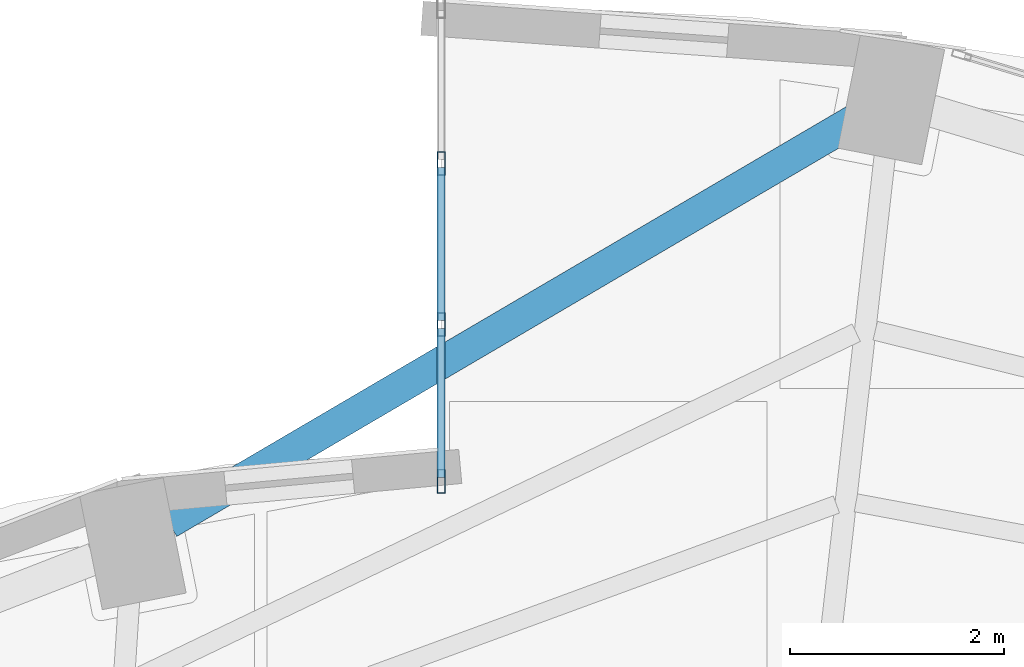
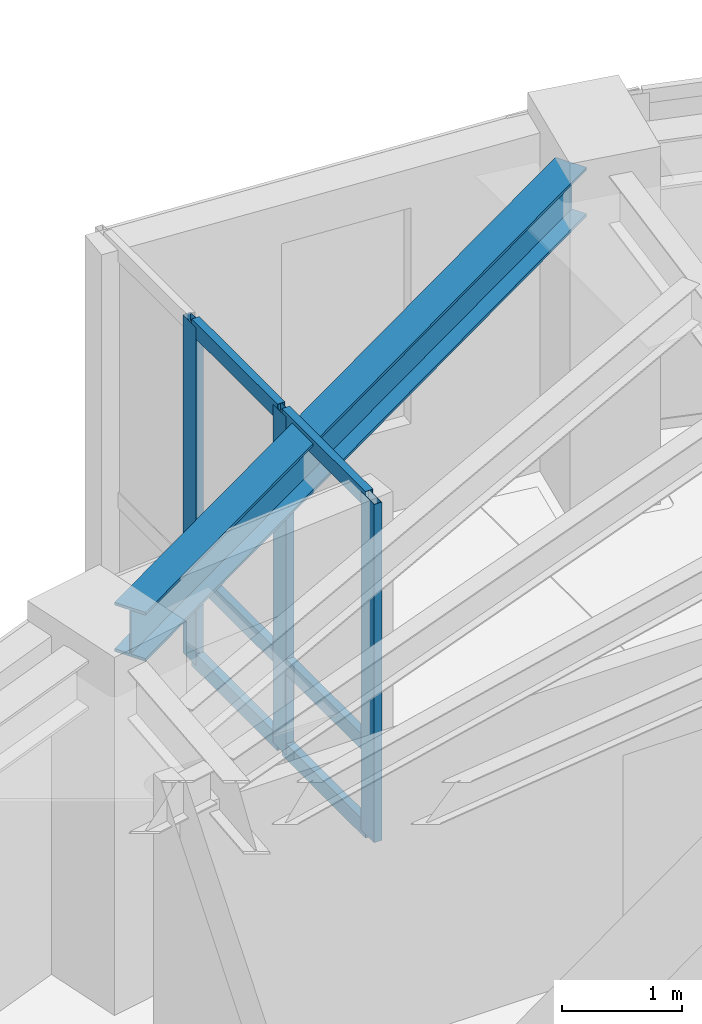
# One storey, part 4 of 15: 9 members, 1 beam, 1 element without a shape of its own.
"""IFC4 building model written with IfcOpenShell, lengths in metres."""

import ifcopenshell
import ifcopenshell.guid

model = None  # the IFC model being written
_history = None  # IfcOwnerHistory: only IFC2X3 demands one
_inside = {}  # id of a spatial element -> (the spatial element, [elements in it])
_under = {}  # id of a project, library or spatial element -> (it, [spatial elements below it])
_declared = {}  # id of a project -> (the project, [libraries it declares])
_typed = {}  # id of a type object -> (the type object, [elements of that type])
_made_of = {}  # id of a material, layer set ... -> (it, [elements and type objects made of it])


def new_model(schema):
    """Start an empty IFC model of exactly this schema.

    Asked for "IFC4X3", IfcOpenShell would pick the latest addendum, in which some entities
    have other attributes; the version numbers below select the first issue.
    IFC2X3 requires an IfcOwnerHistory on every rooted entity: one is made here for all.
    """
    global model, _history
    if schema == "IFC4X3":
        model = ifcopenshell.file(schema_version=(4, 3, 0, 0))
    else:
        model = ifcopenshell.file(schema=schema)
    _inside.clear()
    _under.clear()
    _declared.clear()
    _typed.clear()
    _made_of.clear()
    _history = None
    if model.schema == "IFC2X3":
        org = make("IfcOrganization", Name="unknown")
        user = make(
            "IfcPersonAndOrganization",
            ThePerson=make("IfcPerson", FamilyName="unknown"),
            TheOrganization=org,
        )
        app = make(
            "IfcApplication",
            ApplicationDeveloper=org,
            Version="unknown",
            ApplicationFullName="unknown",
            ApplicationIdentifier="unknown",
        )
        _history = make(
            "IfcOwnerHistory",
            OwningUser=user,
            OwningApplication=app,
            ChangeAction="ADDED",
            CreationDate=0,
        )
    return model


def make(cls, **values):
    """One entity of the class cls with the attributes given. An attribute that is None is left unset."""
    return model.create_entity(
        cls, **{name: value for name, value in values.items() if value is not None}
    )


def rooted(cls, **values):
    """An entity with a GlobalId (a new one), such as an element, a storey or a relation."""
    return make(cls, GlobalId=ifcopenshell.guid.new(), OwnerHistory=_history, **values)


def si_unit(unit_type, name, prefix=None):
    """IfcSIUnit, for example si_unit("LENGTHUNIT", "METRE", prefix="MILLI")."""
    return make("IfcSIUnit", UnitType=unit_type, Prefix=prefix, Name=name)


def assignment(units):
    """IfcUnitAssignment: the units of a project."""
    return None if units is None else make("IfcUnitAssignment", Units=units)


def point(xyz):
    """IfcCartesianPoint."""
    return None if xyz is None else make("IfcCartesianPoint", Coordinates=xyz)


def direction(xyz):
    """IfcDirection."""
    return None if xyz is None else make("IfcDirection", DirectionRatios=xyz)


def frame(location, z_axis=None, x_axis=None):
    """IfcAxis2Placement3D, a coordinate frame: its origin and axes. An axis left out is left unset."""
    return make(
        "IfcAxis2Placement3D",
        Location=point(location),
        Axis=direction(z_axis),
        RefDirection=direction(x_axis),
    )


def frame_2d(location, x_axis=None):
    """IfcAxis2Placement2D, a coordinate frame in the plane: its origin and x axis."""
    return make(
        "IfcAxis2Placement2D", Location=point(location), RefDirection=direction(x_axis)
    )


def origin():
    """The frame at (0, 0, 0) with its axes left unset."""
    return frame((0.0, 0.0, 0.0))


def origin_2d():
    """The frame at (0, 0) in the plane with its x axis left unset."""
    return frame_2d((0.0, 0.0))


def place(relative_to, where):
    """IfcLocalPlacement: puts the frame where relative to a parent placement (None: the world)."""
    return make(
        "IfcLocalPlacement", PlacementRelTo=relative_to, RelativePlacement=where
    )


def context(
    kind, dimensions, precision=None, world=None, true_north=None, identifier=None
):
    """IfcGeometricRepresentationContext, for example the 3D "Model" context."""
    return make(
        "IfcGeometricRepresentationContext",
        ContextIdentifier=identifier,
        ContextType=kind,
        CoordinateSpaceDimension=dimensions,
        Precision=precision,
        WorldCoordinateSystem=world,
        TrueNorth=true_north,
    )


def subcontext(parent, identifier, kind, view, scale=None):
    """IfcGeometricRepresentationSubContext, for example "Body" below "Model"."""
    return make(
        "IfcGeometricRepresentationSubContext",
        ContextIdentifier=identifier,
        ContextType=kind,
        ParentContext=parent,
        TargetScale=scale,
        TargetView=view,
    )


def project(units=None, contexts=None):
    """IfcProject with its units and contexts."""
    return rooted(
        "IfcProject",
        Name="project",
        RepresentationContexts=contexts,
        UnitsInContext=assignment(units),
    )


def spatial(cls, under=None, at=None, **own):
    """A site, building, storey or space (cls), placed at a placement, below another one or the project."""
    s = rooted(cls, ObjectPlacement=at, **own)
    if under is not None:
        _under.setdefault(under.id(), (under, []))[1].append(s)
    return s


def profile(cls, at=None, kind="AREA", **sizes):
    """A parametric profile (cls). Its sizes go by their IFC names, for example OverallWidth=200.0."""
    return make(cls, ProfileType=kind, Position=at, **sizes)


def hollow_rectangle(**sizes):
    """IfcRectangleHollowProfileDef."""
    return profile("IfcRectangleHollowProfileDef", **sizes)


def i_section(**sizes):
    """IfcIShapeProfileDef."""
    return profile("IfcIShapeProfileDef", **sizes)


def extrude(swept, where, along, depth):
    """IfcExtrudedAreaSolid: the profile swept, set in the frame where, extruded along a direction by depth."""
    return make(
        "IfcExtrudedAreaSolid",
        SweptArea=swept,
        Position=where,
        ExtrudedDirection=direction(along),
        Depth=depth,
    )


def shape(context_of_items, identifier, shape_type, items):
    """IfcShapeRepresentation: the items that make up one representation, for example the "Body"."""
    return make(
        "IfcShapeRepresentation",
        ContextOfItems=context_of_items,
        RepresentationIdentifier=identifier,
        RepresentationType=shape_type,
        Items=items,
    )


def material(Name=None, Category=None):
    """IfcMaterial."""
    return make("IfcMaterial", Name=Name, Category=Category)


def layer(
    of_material, thickness, ventilated=None, Name=None, Category=None, Priority=None
):
    """IfcMaterialLayer: one layer of a wall or slab, of a material (None: an air gap)."""
    return make(
        "IfcMaterialLayer",
        Material=of_material,
        LayerThickness=thickness,
        IsVentilated=ventilated,
        Name=Name,
        Category=Category,
        Priority=Priority,
    )


def layer_set(layers, Name=None):
    """IfcMaterialLayerSet."""
    return make("IfcMaterialLayerSet", MaterialLayers=layers, LayerSetName=Name)


def material_profile(
    of_material, cross_section, Name=None, Category=None, Priority=None
):
    """IfcMaterialProfile: a cross section and its material."""
    return make(
        "IfcMaterialProfile",
        Name=Name,
        Material=of_material,
        Profile=cross_section,
        Priority=Priority,
        Category=Category,
    )


def profile_set(profiles, Name=None, composite=None):
    """IfcMaterialProfileSet."""
    return make(
        "IfcMaterialProfileSet",
        Name=Name,
        MaterialProfiles=profiles,
        CompositeProfile=composite,
    )


def made_of(thing, what):
    """Note that an element or type object is made of a material, layer set ...; save() writes the relation."""
    if what is not None:
        _made_of.setdefault(what.id(), (what, []))[1].append(thing)
    return thing


def type_object(cls, material=None, **own):
    """A type object (cls), such as IfcWallType, which elements share."""
    return made_of(rooted(cls, **own), material)


def element(
    cls,
    number,
    at=None,
    inside=None,
    cuts=None,
    type_object=None,
    material=None,
    context=None,
    identifier="Body",
    shape_type=None,
    held_by="IfcProductDefinitionShape",
    body=None,
    shapes=None,
    **own,
):
    """One element of the class cls, such as IfcWall. Its Tag is "e" and its number.

    at: its placement. inside: the storey or other place that contains it. cuts: it is an
    opening in that element (IfcRelVoidsElement). A single representation is given by context,
    identifier, shape_type and body (its items); several are given by shapes. held_by: the class
    of the entity that holds the representations. save() writes the other relations.
    """
    e = rooted(cls, Tag="e%d" % number, ObjectPlacement=at, **own)
    if body is not None:
        shapes = [shape(context, identifier, shape_type, body)]
    if shapes is not None:
        e.Representation = make(held_by, Representations=shapes)
    if inside is not None:
        _inside.setdefault(inside.id(), (inside, []))[1].append(e)
    if cuts is not None:
        rooted(
            "IfcRelVoidsElement", RelatingBuildingElement=cuts, RelatedOpeningElement=e
        )
    if type_object is not None:
        _typed.setdefault(type_object.id(), (type_object, []))[1].append(e)
    return made_of(e, material)


def aggregate(whole, parts):
    """IfcRelAggregates: a whole, such as a stair, and the parts it consists of."""
    return rooted("IfcRelAggregates", RelatingObject=whole, RelatedObjects=parts)


def save(model, path):
    """Write the relations noted so far, then the file.

    IfcRelAggregates (storeys below a building ...), IfcRelContainedInSpatialStructure (elements
    in a storey), IfcRelDefinesByType, IfcRelAssociatesMaterial and IfcRelDeclares: one each for
    every whole, place, type object, material and project.
    """
    for whole, parts in _under.values():
        aggregate(whole, parts)
    for where, things in _inside.values():
        rooted(
            "IfcRelContainedInSpatialStructure",
            RelatedElements=things,
            RelatingStructure=where,
        )
    for kind, things in _typed.values():
        rooted("IfcRelDefinesByType", RelatedObjects=things, RelatingType=kind)
    for what, things in _made_of.values():
        rooted("IfcRelAssociatesMaterial", RelatedObjects=things, RelatingMaterial=what)
    for by, libraries in _declared.values():
        rooted("IfcRelDeclares", RelatingContext=by, RelatedDefinitions=libraries)
    model.write(path)


model = new_model("IFC4")

# Units and contexts
model_context = context("Model", 3, precision=1e-05, world=origin(), true_north=direction((0.0, 1.0)))
body_context = subcontext(model_context, "Body", "Model", "MODEL_VIEW")
ifc_project = project(units=[si_unit("LENGTHUNIT", "METRE"), si_unit("AREAUNIT", "SQUARE_METRE"), si_unit("VOLUMEUNIT", "CUBIC_METRE"), si_unit("PLANEANGLEUNIT", "RADIAN"), si_unit("MASSUNIT", "GRAM", prefix="KILO")], contexts=[model_context])

# Site, building, storey
site_placement = place(None, origin())
site = spatial("IfcSite", under=ifc_project, at=site_placement, CompositionType="ELEMENT")
building_placement = place(site_placement, origin())
building = spatial("IfcBuilding", under=site, at=building_placement, Name="Lazwardi Medical Tower", CompositionType="ELEMENT")
storey_placement = place(building_placement, frame((0.0, 0.0, 280.56005859375)))
storey = spatial("IfcBuildingStorey", under=building, at=storey_placement, Name="L73", CompositionType="ELEMENT", Elevation=280.56005859375)

# Beam
ifc_material_1 = material(Name="Steel S355", Category="steel")
ifc_material_profile_1 = material_profile(ifc_material_1, i_section(OverallWidth=0.300048828125, OverallDepth=0.5, WebThickness=0.014404296875, FlangeThickness=0.028076171875, at=origin_2d()), Name="HEB 500")
ifc_profile_set_1 = profile_set([ifc_material_profile_1], Name="Steel S355")
beam_type = type_object("IfcBeamType", Name="BM-RB-Z4", PredefinedType="BEAM", material=ifc_profile_set_1)
beam_placement = place(storey_placement, frame((39.877685546875, 44.40087890625, 3.197998046875), z_axis=(-0.862560933033, -0.505953196259, 0.0), x_axis=(0.505953196259, -0.862560933033, 0.0)))
element("IfcBeam", 1, at=beam_placement, inside=storey, type_object=beam_type, Name="Ring beam RB-05 B08 L73", PredefinedType="BEAM", context=body_context, shape_type="SweptSolid", body=[
    extrude(i_section(OverallWidth=0.300048828125, OverallDepth=0.5, WebThickness=0.014404296875, FlangeThickness=0.028076171875, at=origin_2d()), origin(), (0.0, 0.0, 1.0), 7.452880859375),
])

# Curtain wall, members
ifc_material_2 = material(Name="Anodised bronze aluminium and solar control glazing", Category="aluminium")
ifc_layer = layer(ifc_material_2, 0.2099609375)
ifc_layer_set = layer_set([ifc_layer], Name="Anodised bronze aluminium and solar control glazing")
curtain_wall_type = type_object("IfcCurtainWallType", Name="CW-SYS-06", PredefinedType="NOTDEFINED", material=ifc_layer_set)
curtain_wall_placement = place(storey_placement, origin())
curtain_wall = element("IfcCurtainWall", 2, at=curtain_wall_placement, inside=storey, type_object=curtain_wall_type, Name="L73 Unitised bronze curtain wall CW-06", PredefinedType="NOTDEFINED")
ifc_material_3 = material(Name="Anodised bronze aluminium", Category="aluminium")
ifc_material_profile_2 = material_profile(ifc_material_3, hollow_rectangle(XDim=0.074951171875, YDim=0.219970703125, WallThickness=0.00390625, at=origin_2d()), Name="ALU-MULLION 220x75x4")
ifc_profile_set_2 = profile_set([ifc_material_profile_2], Name="Anodised bronze aluminium")
member_type_1 = type_object("IfcMemberType", Name="CW-MUL-01", PredefinedType="MULLION", material=ifc_profile_set_2)
member_1_placement = place(storey_placement, frame((36.0, 43.993408203125, 0.0), z_axis=(0.0, 0.0, 1.0), x_axis=(1.0, 0.0, 0.0)))
member_1 = element("IfcMember", 3, at=member_1_placement, type_object=member_type_1, Name="CW-06 mullion 2", PredefinedType="MULLION", context=body_context, shape_type="SweptSolid", body=[
    extrude(hollow_rectangle(XDim=0.074951171875, YDim=0.219970703125, WallThickness=0.00390625, at=origin_2d()), origin(), (0.0, 0.0, 1.0), 3.447998046875),
])
member_2_placement = place(storey_placement, frame((36.0, 42.486572265625, 0.0), z_axis=(0.0, 0.0, 1.0), x_axis=(1.0, 0.0, 0.0)))
member_2 = element("IfcMember", 4, at=member_2_placement, type_object=member_type_1, Name="CW-06 mullion 3", PredefinedType="MULLION", context=body_context, shape_type="SweptSolid", body=[
    extrude(hollow_rectangle(XDim=0.074951171875, YDim=0.219970703125, WallThickness=0.00390625, at=origin_2d()), origin(), (0.0, 0.0, 1.0), 3.447998046875),
])
member_3_placement = place(storey_placement, frame((36.0, 41.017578125, 0.0), z_axis=(0.0, 0.0, 1.0), x_axis=(1.0, 0.0, 0.0)))
member_3 = element("IfcMember", 5, at=member_3_placement, type_object=member_type_1, Name="CW-06 mullion 4", PredefinedType="MULLION", context=body_context, shape_type="SweptSolid", body=[
    extrude(hollow_rectangle(XDim=0.074951171875, YDim=0.219970703125, WallThickness=0.00390625, at=origin_2d()), origin(), (0.0, 0.0, 1.0), 3.447998046875),
])
ifc_material_profile_3 = material_profile(ifc_material_3, hollow_rectangle(XDim=0.074951171875, YDim=0.159912109375, WallThickness=0.00390625, at=origin_2d()), Name="ALU-TRANSOM 160x75x4")
ifc_profile_set_3 = profile_set([ifc_material_profile_3], Name="Anodised bronze aluminium")
member_type_2 = type_object("IfcMemberType", Name="CW-TRN-01", PredefinedType="USERDEFINED", material=ifc_profile_set_3)
member_4_placement = place(storey_placement, frame((36.0, 43.955810546875, 0.037353515625), z_axis=(0.0, -1.0, 0.0), x_axis=(1.0, 0.0, 0.0)))
member_4 = element("IfcMember", 6, at=member_4_placement, type_object=member_type_2, Name="CW-06 transom 2.1", ObjectType="TRANSOM", PredefinedType="USERDEFINED", context=body_context, shape_type="SweptSolid", body=[
    extrude(hollow_rectangle(XDim=0.074951171875, YDim=0.159912109375, WallThickness=0.00390625, at=origin_2d()), origin(), (0.0, 0.0, 1.0), 1.431640625),
])
member_5_placement = place(storey_placement, frame((36.0, 43.955810546875, 0.89990234375), z_axis=(0.0, -1.0, 0.0), x_axis=(1.0, 0.0, 0.0)))
member_5 = element("IfcMember", 7, at=member_5_placement, type_object=member_type_2, Name="CW-06 transom 2.2", ObjectType="TRANSOM", PredefinedType="USERDEFINED", context=body_context, shape_type="SweptSolid", body=[
    extrude(hollow_rectangle(XDim=0.074951171875, YDim=0.159912109375, WallThickness=0.00390625, at=origin_2d()), origin(), (0.0, 0.0, 1.0), 1.431640625),
])
member_6_placement = place(storey_placement, frame((36.0, 43.955810546875, 3.410400390625), z_axis=(0.0, -1.0, 0.0), x_axis=(1.0, 0.0, 0.0)))
member_6 = element("IfcMember", 8, at=member_6_placement, type_object=member_type_2, Name="CW-06 transom 2.3", ObjectType="TRANSOM", PredefinedType="USERDEFINED", context=body_context, shape_type="SweptSolid", body=[
    extrude(hollow_rectangle(XDim=0.074951171875, YDim=0.159912109375, WallThickness=0.00390625, at=origin_2d()), origin(), (0.0, 0.0, 1.0), 1.431640625),
])
member_7_placement = place(storey_placement, frame((36.0, 42.44921875, 0.037353515625), z_axis=(0.0, -1.0, 0.0), x_axis=(1.0, 0.0, 0.0)))
member_7 = element("IfcMember", 9, at=member_7_placement, type_object=member_type_2, Name="CW-06 transom 3.1", ObjectType="TRANSOM", PredefinedType="USERDEFINED", context=body_context, shape_type="SweptSolid", body=[
    extrude(hollow_rectangle(XDim=0.074951171875, YDim=0.159912109375, WallThickness=0.00390625, at=origin_2d()), origin(), (0.0, 0.0, 1.0), 1.394287109375),
])
member_8_placement = place(storey_placement, frame((36.0, 42.44921875, 0.89990234375), z_axis=(0.0, -1.0, 0.0), x_axis=(1.0, 0.0, 0.0)))
member_8 = element("IfcMember", 10, at=member_8_placement, type_object=member_type_2, Name="CW-06 transom 3.2", ObjectType="TRANSOM", PredefinedType="USERDEFINED", context=body_context, shape_type="SweptSolid", body=[
    extrude(hollow_rectangle(XDim=0.074951171875, YDim=0.159912109375, WallThickness=0.00390625, at=origin_2d()), origin(), (0.0, 0.0, 1.0), 1.394287109375),
])
member_9_placement = place(storey_placement, frame((36.0, 42.44921875, 3.410400390625), z_axis=(0.0, -1.0, 0.0), x_axis=(1.0, 0.0, 0.0)))
member_9 = element("IfcMember", 11, at=member_9_placement, type_object=member_type_2, Name="CW-06 transom 3.3", ObjectType="TRANSOM", PredefinedType="USERDEFINED", context=body_context, shape_type="SweptSolid", body=[
    extrude(hollow_rectangle(XDim=0.074951171875, YDim=0.159912109375, WallThickness=0.00390625, at=origin_2d()), origin(), (0.0, 0.0, 1.0), 1.394287109375),
])
aggregate(curtain_wall, [member_1, member_2, member_3, member_4, member_5, member_6, member_7, member_8, member_9])

save(model, "model.ifc")
